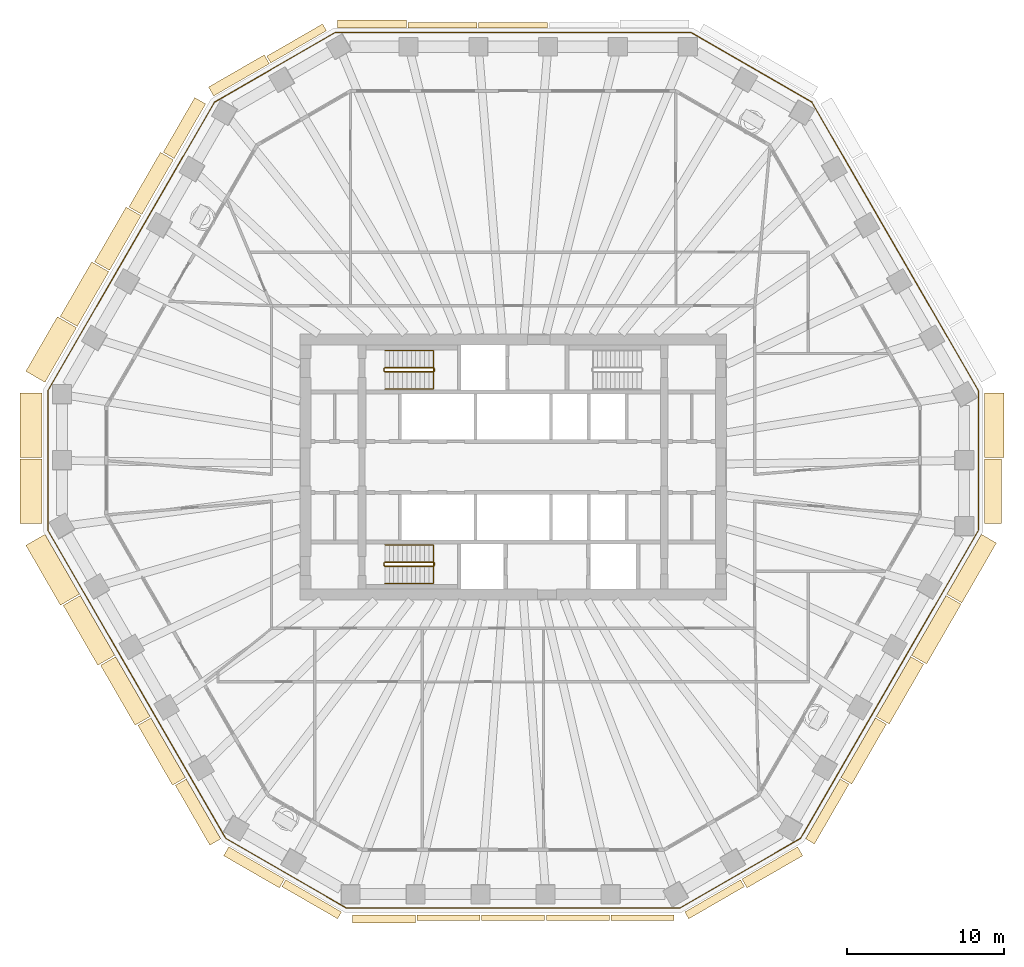
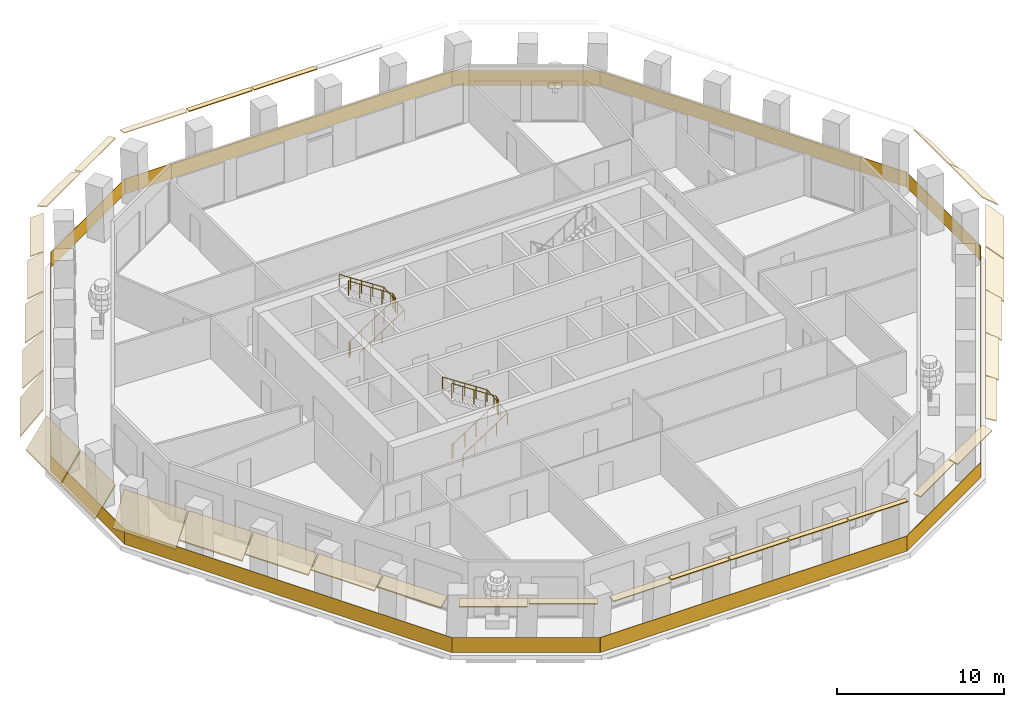
# One storey, part 9 of 12: 33 coverings, 5 railings.
"""IFC4 building model written with IfcOpenShell, lengths in metres."""

from ifc_helpers import new_model, si_unit, direction, frame, origin, origin_2d, place, context, subcontext, project, spatial, polyline, rectangle, circle, outline, extrude, material, layer, layer_set, type_object, element, save


model = new_model("IFC4")

# Units and contexts
model_context = context("Model", 3, precision=1e-05, world=origin(), true_north=direction((0.0, 1.0)))
body_context = subcontext(model_context, "Body", "Model", "MODEL_VIEW")
ifc_project = project(units=[si_unit("LENGTHUNIT", "METRE"), si_unit("AREAUNIT", "SQUARE_METRE"), si_unit("VOLUMEUNIT", "CUBIC_METRE"), si_unit("PLANEANGLEUNIT", "RADIAN"), si_unit("MASSUNIT", "GRAM", prefix="KILO")], contexts=[model_context])

# Site, building, storey
site_placement = place(None, origin())
site = spatial("IfcSite", under=ifc_project, at=site_placement, CompositionType="ELEMENT")
building_placement = place(site_placement, origin())
building = spatial("IfcBuilding", under=site, at=building_placement, Name="Frailejon Research Tower", CompositionType="ELEMENT")
storey_placement = place(building_placement, frame((0.0, 0.0, 158.39990234375)))
storey = spatial("IfcBuildingStorey", under=building, at=storey_placement, Name="L34", CompositionType="ELEMENT", Elevation=158.39990234375)

# Coverings
ifc_material_1 = material(Name="Precast concrete C50/60", Category="concrete")
ifc_layer_1 = layer(ifc_material_1, 0.06005859375)
ifc_layer_set_1 = layer_set([ifc_layer_1], Name="Brim blade depth 1100")
covering_type_1 = type_object("IfcCoveringType", Name="Brim blade depth 1100", PredefinedType="CLADDING", material=ifc_layer_set_1)
covering_1_placement = place(storey_placement, frame((29.93212890625, 0.503173828125, 4.25), z_axis=(0.0, -1.0, 0.0), x_axis=(1.0, 0.0, 0.0)))
element("IfcCovering", 1, at=covering_1_placement, inside=storey, type_object=covering_type_1, Name="Brim blade L34", PredefinedType="CLADDING", context=body_context, shape_type="SweptSolid", body=[
    extrude(outline(polyline([(0.0, -0.078369140625), (1.10009765625, -1.001220703125), (1.10009765625, -0.923095703125), (0.0, 0.0), (0.0, -0.078369140625)])), origin(), (0.0, 0.0, 1.0), 4.087646484375),
])
covering_2_placement = place(storey_placement, frame((-25.64208984375, 12.49267578125, 4.25), z_axis=(0.50000437419, 0.86602287833, 0.0), x_axis=(-0.86602287833, 0.50000437419, 0.0)))
element("IfcCovering", 2, at=covering_2_placement, inside=storey, type_object=covering_type_1, Name="Brim blade L34", PredefinedType="CLADDING", context=body_context, shape_type="SweptSolid", body=[
    extrude(outline(polyline([(0.0, -0.078369140625), (1.10009765625, -1.001220703125), (1.10009765625, -0.923095703125), (0.0, 0.0), (0.0, -0.078369140625)])), origin(), (0.0, 0.0, 1.0), 4.004150390625),
])
for number, where, z_axis, x_axis, name in (
    (3, (-23.065185546875, -15.849853515625, 4.25), (-0.50000023118, 0.866025270312, 0.0), (-0.866025270312, -0.50000023118, 0.0), "Brim blade L34"),
    (4, (27.502685546875, -8.1640625, 4.25), (-0.50000023118, -0.866025270312, 0.0), (0.866025270312, -0.50000023118, 0.0), "Brim blade L34"),
    (5, (29.746337890625, -4.27783203125, 4.25), (-0.50000023118, -0.866025270312, 0.0), (0.866025270312, -0.50000023118, 0.0), "Brim blade L34"),
):
    element("IfcCovering", number, at=place(storey_placement, frame(where, z_axis=z_axis, x_axis=x_axis)), inside=storey, type_object=covering_type_1, Name=name, PredefinedType="CLADDING", context=body_context, shape_type="SweptSolid", body=[
        extrude(outline(polyline([(0.0, -0.078369140625), (1.10009765625, -1.001220703125), (1.10009765625, -0.923095703125), (0.0, 0.0), (0.0, -0.078369140625)])), origin(), (0.0, 0.0, 1.0), 4.387451171875),
    ])
ifc_material_2 = material(Name="Precast concrete C50/60", Category="concrete")
ifc_layer_2 = layer(ifc_material_2, 0.06005859375)
ifc_layer_set_2 = layer_set([ifc_layer_2], Name="Brim blade depth 1250")
covering_type_2 = type_object("IfcCoveringType", Name="Brim blade depth 1250", PredefinedType="CLADDING", material=ifc_layer_set_2)
covering_3_placement = place(storey_placement, frame((29.93212890625, 4.690673828125, 4.25), z_axis=(0.0, -1.0, 0.0), x_axis=(1.0, 0.0, 0.0)))
element("IfcCovering", 6, at=covering_3_placement, inside=storey, type_object=covering_type_2, Name="Brim blade L34", PredefinedType="CLADDING", context=body_context, shape_type="SweptSolid", body=[
    extrude(outline(polyline([(0.0, -0.0888671875), (1.25, -1.452880859375), (1.25, -1.364013671875), (0.0, 0.0), (0.0, -0.0888671875)])), origin(), (0.0, 0.0, 1.0), 4.087646484375),
])
covering_4_placement = place(storey_placement, frame((-27.694091796875, 8.938232421875, 4.25), z_axis=(0.499993824204, 0.866028969353, 0.0), x_axis=(-0.866028969353, 0.499993824204, 0.0)))
element("IfcCovering", 7, at=covering_4_placement, inside=storey, type_object=covering_type_2, Name="Brim blade L34", PredefinedType="CLADDING", context=body_context, shape_type="SweptSolid", body=[
    extrude(outline(polyline([(0.0, -0.0888671875), (1.25, -1.452880859375), (1.25, -1.364013671875), (0.0, 0.0), (0.0, -0.0888671875)])), origin(), (0.0, 0.0, 1.0), 4.00439453125),
])
covering_5_placement = place(storey_placement, frame((-25.308837890625, -11.963623046875, 4.25), z_axis=(-0.50000023118, 0.866025270312, 0.0), x_axis=(-0.866025270312, -0.50000023118, 0.0)))
element("IfcCovering", 8, at=covering_5_placement, inside=storey, type_object=covering_type_2, Name="Brim blade L34", PredefinedType="CLADDING", context=body_context, shape_type="SweptSolid", body=[
    extrude(outline(polyline([(0.0, -0.0888671875), (1.25, -1.452880859375), (1.25, -1.364013671875), (0.0, 0.0), (0.0, -0.0888671875)])), origin(), (0.0, 0.0, 1.0), 4.387451171875),
])
ifc_material_3 = material(Name="Precast concrete C50/60", Category="concrete")
ifc_layer_3 = layer(ifc_material_3, 0.06005859375)
ifc_layer_set_3 = layer_set([ifc_layer_3], Name="Brim blade depth 1400")
covering_type_3 = type_object("IfcCoveringType", Name="Brim blade depth 1400", PredefinedType="CLADDING", material=ifc_layer_set_3)
covering_6_placement = place(storey_placement, frame((-29.746337890625, 5.384033203125, 4.25), z_axis=(0.50000437419, 0.86602287833, 0.0), x_axis=(-0.86602287833, 0.50000437419, 0.0)))
element("IfcCovering", 9, at=covering_6_placement, inside=storey, type_object=covering_type_3, Name="Brim blade L34", PredefinedType="CLADDING", context=body_context, shape_type="SweptSolid", body=[
    extrude(outline(polyline([(0.0, -0.1044921875), (1.39990234375, -2.10400390625), (1.39990234375, -1.99951171875), (0.0, 0.0), (0.0, -0.1044921875)])), origin(), (0.0, 0.0, 1.0), 4.004150390625),
])
for number, where, z_axis, x_axis, name in (
    (10, (-29.93212890625, 0.60302734375, 4.25), (0.0, 1.0, 0.0), (-1.0, 0.0, 0.0), "Brim blade L34"),
    (11, (-29.93212890625, -3.58447265625, 4.25), (0.0, 1.0, 0.0), (-1.0, 0.0, 0.0), "Brim blade L34"),
):
    element("IfcCovering", number, at=place(storey_placement, frame(where, z_axis=z_axis, x_axis=x_axis)), inside=storey, type_object=covering_type_3, Name=name, PredefinedType="CLADDING", context=body_context, shape_type="SweptSolid", body=[
        extrude(outline(polyline([(0.0, -0.1044921875), (1.39990234375, -2.10400390625), (1.39990234375, -1.99951171875), (0.0, 0.0), (0.0, -0.1044921875)])), origin(), (0.0, 0.0, 1.0), 4.087646484375),
    ])
covering_7_placement = place(storey_placement, frame((-27.552490234375, -8.077392578125, 4.25), z_axis=(-0.50000023118, 0.866025270312, 0.0), x_axis=(-0.866025270312, -0.50000023118, 0.0)))
element("IfcCovering", 12, at=covering_7_placement, inside=storey, type_object=covering_type_3, Name="Brim blade L34", PredefinedType="CLADDING", context=body_context, shape_type="SweptSolid", body=[
    extrude(outline(polyline([(0.0, -0.1044921875), (1.39990234375, -2.10400390625), (1.39990234375, -1.99951171875), (0.0, 0.0), (0.0, -0.1044921875)])), origin(), (0.0, 0.0, 1.0), 4.387451171875),
])
ifc_material_4 = material(Name="Precast concrete C50/60", Category="concrete")
ifc_layer_4 = layer(ifc_material_4, 0.06005859375)
ifc_layer_set_4 = layer_set([ifc_layer_4], Name="Brim blade depth 350")
covering_type_4 = type_object("IfcCoveringType", Name="Brim blade depth 350", PredefinedType="CLADDING", material=ifc_layer_set_4)
for number, where, z_axis, x_axis, name in (
    (13, (-2.193603515625, 27.89990234375, 4.25), (1.0, 0.0, 0.0), (0.0, 1.0, 0.0), "Brim blade L34"),
    (14, (-6.68115234375, 27.89990234375, 4.25), (1.0, 0.0, 0.0), (0.0, 1.0, 0.0), "Brim blade L34"),
):
    element("IfcCovering", number, at=place(storey_placement, frame(where, z_axis=z_axis, x_axis=x_axis)), inside=storey, type_object=covering_type_4, Name=name, PredefinedType="CLADDING", context=body_context, shape_type="SweptSolid", body=[
        extrude(outline(polyline([(0.0, -0.06005859375), (0.35009765625, -0.06005859375), (0.35009765625, 0.0), (0.0, 0.0), (0.0, -0.06005859375)])), origin(), (0.0, 0.0, 1.0), 4.387451171875),
    ])
for number, where, z_axis, x_axis, name in (
    (15, (-2.10205078125, -28.453125, 4.25), (-1.0, 0.0, 0.0), (0.0, -1.0, 0.0), "Brim blade L34"),
    (16, (2.002197265625, -28.453125, 4.25), (-1.0, 0.0, 0.0), (0.0, -1.0, 0.0), "Brim blade L34"),
    (17, (6.106201171875, -28.453125, 4.25), (-1.0, 0.0, 0.0), (0.0, -1.0, 0.0), "Brim blade L34"),
    (18, (10.21044921875, -28.453125, 4.25), (-1.0, 0.0, 0.0), (0.0, -1.0, 0.0), "Brim blade L34"),
):
    element("IfcCovering", number, at=place(storey_placement, frame(where, z_axis=z_axis, x_axis=x_axis)), inside=storey, type_object=covering_type_4, Name=name, PredefinedType="CLADDING", context=body_context, shape_type="SweptSolid", body=[
        extrude(outline(polyline([(0.0, -0.06005859375), (0.35009765625, -0.06005859375), (0.35009765625, 0.0), (0.0, 0.0), (0.0, -0.06005859375)])), origin(), (0.0, 0.0, 1.0), 4.004150390625),
    ])
ifc_material_5 = material(Name="Precast concrete C50/60", Category="concrete")
ifc_layer_5 = layer(ifc_material_5, 0.06005859375)
ifc_layer_set_5 = layer_set([ifc_layer_5], Name="Brim blade depth 500")
covering_type_5 = type_object("IfcCoveringType", Name="Brim blade depth 500", PredefinedType="CLADDING", material=ifc_layer_set_5)
covering_8_placement = place(storey_placement, frame((-11.16845703125, 27.89990234375, 4.25), z_axis=(1.0, 0.0, 0.0), x_axis=(0.0, 1.0, 0.0)))
element("IfcCovering", 19, at=covering_8_placement, inside=storey, type_object=covering_type_5, Name="Brim blade L34", PredefinedType="CLADDING", context=body_context, shape_type="SweptSolid", body=[
    extrude(outline(polyline([(0.0, -0.060546875), (0.5, -0.130859375), (0.5, -0.0703125), (0.0, 0.0), (0.0, -0.060546875)])), origin(), (0.0, 0.0, 1.0), 4.387451171875),
])
for number, where, z_axis, x_axis, name in (
    (20, (-15.40185546875, 25.67041015625, 4.25), (0.866027315287, 0.499996689166, 0.0), (-0.499996689166, 0.866027315287, 0.0), "Brim blade L34"),
    (21, (-10.90380859375, -28.267333984375, 4.25), (-0.866027315287, 0.499996689166, 0.0), (-0.499996689166, -0.866027315287, 0.0), "Brim blade L34"),
):
    element("IfcCovering", number, at=place(storey_placement, frame(where, z_axis=z_axis, x_axis=x_axis)), inside=storey, type_object=covering_type_5, Name=name, PredefinedType="CLADDING", context=body_context, shape_type="SweptSolid", body=[
        extrude(outline(polyline([(0.0, -0.060546875), (0.5, -0.130859375), (0.5, -0.0703125), (0.0, 0.0), (0.0, -0.060546875)])), origin(), (0.0, 0.0, 1.0), 4.087646484375),
    ])
covering_9_placement = place(storey_placement, frame((-6.206298828125, -28.453125, 4.25), z_axis=(-1.0, 0.0, 0.0), x_axis=(0.0, -1.0, 0.0)))
element("IfcCovering", 22, at=covering_9_placement, inside=storey, type_object=covering_type_5, Name="Brim blade L34", PredefinedType="CLADDING", context=body_context, shape_type="SweptSolid", body=[
    extrude(outline(polyline([(0.0, -0.060546875), (0.5, -0.130859375), (0.5, -0.0703125), (0.0, 0.0), (0.0, -0.060546875)])), origin(), (0.0, 0.0, 1.0), 4.004150390625),
])
covering_10_placement = place(storey_placement, frame((14.44384765625, -26.223388671875, 4.25), z_axis=(-0.866027315287, -0.499996689166, 0.0), x_axis=(0.499996689166, -0.866027315287, 0.0)))
element("IfcCovering", 23, at=covering_10_placement, inside=storey, type_object=covering_type_5, Name="Brim blade L34", PredefinedType="CLADDING", context=body_context, shape_type="SweptSolid", body=[
    extrude(outline(polyline([(0.0, -0.060546875), (0.5, -0.130859375), (0.5, -0.0703125), (0.0, 0.0), (0.0, -0.060546875)])), origin(), (0.0, 0.0, 1.0), 4.087646484375),
])
ifc_material_6 = material(Name="Precast concrete C50/60", Category="concrete")
ifc_layer_6 = layer(ifc_material_6, 0.06005859375)
ifc_layer_set_6 = layer_set([ifc_layer_6], Name="Brim blade depth 650")
covering_type_6 = type_object("IfcCoveringType", Name="Brim blade depth 650", PredefinedType="CLADDING", material=ifc_layer_set_6)
for number, where, z_axis, x_axis, name in (
    (24, (-19.0283203125, 23.57666015625, 4.25), (0.866021344981, 0.500007029989, 0.0), (-0.500007029989, 0.866021344981, 0.0), "Brim blade L34"),
    (25, (-14.530517578125, -26.173583984375, 4.25), (-0.866021344981, 0.500007029989, 0.0), (-0.500007029989, -0.866021344981, 0.0), "Brim blade L34"),
    (26, (18.0703125, -24.129638671875, 4.25), (-0.866021344981, -0.500007029989, 0.0), (0.500007029989, -0.866021344981, 0.0), "Brim blade L34"),
):
    element("IfcCovering", number, at=place(storey_placement, frame(where, z_axis=z_axis, x_axis=x_axis)), inside=storey, type_object=covering_type_6, Name=name, PredefinedType="CLADDING", context=body_context, shape_type="SweptSolid", body=[
        extrude(outline(polyline([(0.0, -0.0625), (0.64990234375, -0.248779296875), (0.64990234375, -0.186279296875), (0.0, 0.0), (0.0, -0.0625)])), origin(), (0.0, 0.0, 1.0), 4.08740234375),
    ])
covering_11_placement = place(storey_placement, frame((20.771484375, -19.822509765625, 4.25), z_axis=(-0.50000023118, -0.866025270312, 0.0), x_axis=(0.866025270312, -0.50000023118, 0.0)))
element("IfcCovering", 27, at=covering_11_placement, inside=storey, type_object=covering_type_6, Name="Brim blade L34", PredefinedType="CLADDING", context=body_context, shape_type="SweptSolid", body=[
    extrude(outline(polyline([(0.0, -0.0625), (0.64990234375, -0.248779296875), (0.64990234375, -0.186279296875), (0.0, 0.0), (0.0, -0.0625)])), origin(), (0.0, 0.0, 1.0), 4.387451171875),
])
ifc_material_7 = material(Name="Precast concrete C50/60", Category="concrete")
ifc_layer_7 = layer(ifc_material_7, 0.06005859375)
ifc_layer_set_7 = layer_set([ifc_layer_7], Name="Brim blade depth 800")
covering_type_7 = type_object("IfcCoveringType", Name="Brim blade depth 800", PredefinedType="CLADDING", material=ifc_layer_set_7)
covering_12_placement = place(storey_placement, frame((-21.537841796875, 19.601318359375, 4.25), z_axis=(0.50000437419, 0.86602287833, 0.0), x_axis=(-0.86602287833, 0.50000437419, 0.0)))
element("IfcCovering", 28, at=covering_12_placement, inside=storey, type_object=covering_type_7, Name="Brim blade L34", PredefinedType="CLADDING", context=body_context, shape_type="SweptSolid", body=[
    extrude(outline(polyline([(0.0, -0.065673828125), (0.800048828125, -0.421875), (0.800048828125, -0.356201171875), (0.0, 0.0), (0.0, -0.065673828125)])), origin(), (0.0, 0.0, 1.0), 4.004150390625),
])
for number, where, z_axis, x_axis, name in (
    (29, (-18.577880859375, -23.622314453125, 4.25), (-0.50000023118, 0.866025270312, 0.0), (-0.866025270312, -0.50000023118, 0.0), "Brim blade L34"),
    (30, (23.01513671875, -15.936279296875, 4.25), (-0.50000023118, -0.866025270312, 0.0), (0.866025270312, -0.50000023118, 0.0), "Brim blade L34"),
):
    element("IfcCovering", number, at=place(storey_placement, frame(where, z_axis=z_axis, x_axis=x_axis)), inside=storey, type_object=covering_type_7, Name=name, PredefinedType="CLADDING", context=body_context, shape_type="SweptSolid", body=[
        extrude(outline(polyline([(0.0, -0.065673828125), (0.800048828125, -0.421875), (0.800048828125, -0.356201171875), (0.0, 0.0), (0.0, -0.065673828125)])), origin(), (0.0, 0.0, 1.0), 4.387451171875),
    ])
ifc_material_8 = material(Name="Precast concrete C50/60", Category="concrete")
ifc_layer_8 = layer(ifc_material_8, 0.06005859375)
ifc_layer_set_8 = layer_set([ifc_layer_8], Name="Brim blade depth 950")
covering_type_8 = type_object("IfcCoveringType", Name="Brim blade depth 950", PredefinedType="CLADDING", material=ifc_layer_set_8)
covering_13_placement = place(storey_placement, frame((-23.590087890625, 16.047119140625, 4.25), z_axis=(0.499993824204, 0.866028969353, 0.0), x_axis=(-0.866028969353, 0.499993824204, 0.0)))
element("IfcCovering", 31, at=covering_13_placement, inside=storey, type_object=covering_type_8, Name="Brim blade L34", PredefinedType="CLADDING", context=body_context, shape_type="SweptSolid", body=[
    extrude(outline(polyline([(0.0, -0.07080078125), (0.949951171875, -0.664306640625), (0.949951171875, -0.593505859375), (0.0, 0.0), (0.0, -0.07080078125)])), origin(), (0.0, 0.0, 1.0), 4.00439453125),
])
for number, where, z_axis, x_axis, name in (
    (32, (-20.821533203125, -19.736083984375, 4.25), (-0.50000023118, 0.866025270312, 0.0), (-0.866025270312, -0.50000023118, 0.0), "Brim blade L34"),
    (33, (25.2587890625, -12.05029296875, 4.25), (-0.50000023118, -0.866025270312, 0.0), (0.866025270312, -0.50000023118, 0.0), "Brim blade L34"),
):
    element("IfcCovering", number, at=place(storey_placement, frame(where, z_axis=z_axis, x_axis=x_axis)), inside=storey, type_object=covering_type_8, Name=name, PredefinedType="CLADDING", context=body_context, shape_type="SweptSolid", body=[
        extrude(outline(polyline([(0.0, -0.07080078125), (0.949951171875, -0.664306640625), (0.949951171875, -0.593505859375), (0.0, 0.0), (0.0, -0.07080078125)])), origin(), (0.0, 0.0, 1.0), 4.387451171875),
    ])

# Railings
ifc_material_9 = material(Name="Laminated glass balustrade", Category="glass")
railing_type_1 = type_object("IfcRailingType", Name="Glass guard 1100", PredefinedType="GUARDRAIL", material=ifc_material_9)
railing_1_placement = place(storey_placement, frame((29.56103515625, -4.01611328125, 0.0)))
element("IfcRailing", 34, at=railing_1_placement, inside=storey, type_object=railing_type_1, Name="Loggia guard L34", PredefinedType="GUARDRAIL", context=body_context, shape_type="SweptSolid", body=[
    extrude(rectangle(XDim=8.862060546875, YDim=0.030029296875, at=origin_2d()), frame((0.0, 4.43115234375, 0.0), z_axis=(0.0, 0.0, 1.0), x_axis=(0.0, 1.0, 0.0)), (0.0, 0.0, 1.0), 1.10009765625),
    extrude(rectangle(XDim=21.16748046875, YDim=0.030029296875, at=origin_2d()), frame((-5.2919921875, 18.02783203125, 0.0), z_axis=(0.0, 0.0, 1.0), x_axis=(-0.500009322272, 0.866020021501, 0.0)), (0.0, 0.0, 1.0), 1.10009765625),
    extrude(rectangle(XDim=8.862060546875, YDim=0.030029296875, at=origin_2d()), frame((-14.42138671875, 29.4091796875, 0.0), z_axis=(0.0, 0.0, 1.0), x_axis=(-0.86602043012, 0.50000861454, 0.0)), (0.0, 0.0, 1.0), 1.10009765625),
    extrude(rectangle(XDim=22.6044921875, YDim=0.030029296875, at=origin_2d()), frame((-29.56103515625, 31.624755859375, 0.0), z_axis=(0.0, 0.0, 1.0), x_axis=(-1.0, 0.0, 0.0)), (0.0, 0.0, 1.0), 1.10009765625),
    extrude(rectangle(XDim=8.862060546875, YDim=0.030029296875, at=origin_2d()), frame((-44.70068359375, 29.4091796875, 0.0), z_axis=(0.0, 0.0, 1.0), x_axis=(-0.86602043012, -0.50000861454, 0.0)), (0.0, 0.0, 1.0), 1.10009765625),
    extrude(rectangle(XDim=21.16748046875, YDim=0.030029296875, at=origin_2d()), frame((-53.830078125, 18.02783203125, 0.0), z_axis=(0.0, 0.0, 1.0), x_axis=(-0.500009322272, -0.866020021501, 0.0)), (0.0, 0.0, 1.0), 1.10009765625),
    extrude(rectangle(XDim=8.862060546875, YDim=0.030029296875, at=origin_2d()), frame((-59.1220703125, 4.43115234375, 0.0), z_axis=(0.0, 0.0, 1.0), x_axis=(0.0, -1.0, 0.0)), (0.0, 0.0, 1.0), 1.10009765625),
    extrude(rectangle(XDim=22.604736328125, YDim=0.030029296875, at=origin_2d()), frame((-53.470703125, -9.7880859375, 0.0), z_axis=(0.0, 0.0, 1.0), x_axis=(0.500006042954, -0.866021914855, 0.0)), (0.0, 0.0, 1.0), 1.10009765625),
    extrude(rectangle(XDim=8.862060546875, YDim=0.030029296875, at=origin_2d()), frame((-43.982177734375, -21.791748046875, 0.0), z_axis=(0.0, 0.0, 1.0), x_axis=(0.86602043012, -0.50000861454, 0.0)), (0.0, 0.0, 1.0), 1.10009765625),
    extrude(rectangle(XDim=21.16748046875, YDim=0.030029296875, at=origin_2d()), frame((-29.56103515625, -24.00732421875, 0.0), z_axis=(0.0, 0.0, 1.0), x_axis=(1.0, 0.0, 0.0)), (0.0, 0.0, 1.0), 1.10009765625),
    extrude(rectangle(XDim=8.862060546875, YDim=0.030029296875, at=origin_2d()), frame((-15.139892578125, -21.791748046875, 0.0), z_axis=(0.0, 0.0, 1.0), x_axis=(0.86602043012, 0.50000861454, 0.0)), (0.0, 0.0, 1.0), 1.10009765625),
    extrude(rectangle(XDim=22.534423828125, YDim=0.030029296875, at=origin_2d()), frame((-5.6689453125, -9.818359375, 0.0), z_axis=(0.0, 0.0, 1.0), x_axis=(0.50000411342, 0.866023028888, 0.0)), (0.0, 0.0, 1.0), 1.10009765625),
])
ifc_material_10 = material(Name="Stainless steel", Category="steel")
railing_type_2 = type_object("IfcRailingType", Name="Stair guard 1100", PredefinedType="GUARDRAIL", material=ifc_material_10)
railing_2_placement = place(storey_placement, frame((-8.199951171875, 6.25, 0.0)))
element("IfcRailing", 35, at=railing_2_placement, inside=storey, type_object=railing_type_2, Name="L34 ST1 stair guard 1", PredefinedType="GUARDRAIL", context=body_context, shape_type="SweptSolid", body=[
    extrude(circle(Radius=0.02392578125, at=origin_2d()), frame((0.0, 0.0, 1.076171875), z_axis=(0.0, -1.0, 0.0), x_axis=(1.0, 0.0, 0.0)), (0.0, 0.0, 1.0), 0.14990234375),
    extrude(circle(Radius=0.02392578125, at=origin_2d()), frame((0.0, -0.14990234375, 1.076171875), z_axis=(0.254653276557, -0.254653276557, 0.932900539971), x_axis=(0.707106781187, 0.707106781187, 0.0)), (0.0, 0.0, 1.0), 0.196533203125),
    extrude(circle(Radius=0.02392578125, at=origin_2d()), frame((0.050048828125, -0.199951171875, 1.25927734375), z_axis=(0.836582707638, 0.0, 0.547840645882), x_axis=(0.0, 1.0, 0.0)), (0.0, 0.0, 1.0), 3.681396484375),
    extrude(circle(Radius=0.02392578125, at=origin_2d()), frame((3.1298828125, -0.199951171875, 3.2763671875), z_axis=(0.707106781187, 0.707106781187, 0.0), x_axis=(-0.707106781187, 0.707106781187, 0.0)), (0.0, 0.0, 1.0), 0.07080078125),
    extrude(circle(Radius=0.02392578125, at=origin_2d()), frame((3.179931640625, -0.14990234375, 3.2763671875), z_axis=(0.0, 1.0, 0.0), x_axis=(-1.0, 0.0, 0.0)), (0.0, 0.0, 1.0), 0.14990234375),
    extrude(circle(Radius=0.02392578125, at=origin_2d()), frame((3.179931640625, 0.0, 3.2763671875), z_axis=(-0.254653276557, 0.254653276557, 0.932900539971), x_axis=(-0.707106781187, -0.707106781187, 0.0)), (0.0, 0.0, 1.0), 0.196533203125),
    extrude(circle(Radius=0.02392578125, at=origin_2d()), frame((3.1298828125, 0.050048828125, 3.45947265625), z_axis=(-0.836613101238, 0.0, 0.547794230379), x_axis=(0.0, -1.0, 0.0)), (0.0, 0.0, 1.0), 3.681396484375),
    extrude(circle(Radius=0.02099609375, at=origin_2d()), origin(), (0.0, 0.0, 1.0), 1.052001953125),
    extrude(circle(Radius=0.02099609375, at=origin_2d()), frame((0.0, -0.14990234375, 0.0)), (0.0, 0.0, 1.0), 1.052001953125),
    extrude(circle(Radius=0.02099609375, at=origin_2d()), frame((0.050048828125, -0.199951171875, 0.183349609375)), (0.0, 0.0, 1.0), 1.052001953125),
    extrude(circle(Radius=0.02099609375, at=origin_2d()), frame((0.820068359375, -0.199951171875, 0.6875)), (0.0, 0.0, 1.0), 1.052001953125),
    extrude(circle(Radius=0.02099609375, at=origin_2d()), frame((1.58984375, -0.199951171875, 1.19189453125)), (0.0, 0.0, 1.0), 1.052001953125),
    extrude(circle(Radius=0.02099609375, at=origin_2d()), frame((2.35986328125, -0.199951171875, 1.696044921875)), (0.0, 0.0, 1.0), 1.052001953125),
    extrude(circle(Radius=0.02099609375, at=origin_2d()), frame((3.1298828125, -0.199951171875, 2.2001953125)), (0.0, 0.0, 1.0), 1.052001953125),
    extrude(circle(Radius=0.02099609375, at=origin_2d()), frame((3.179931640625, -0.14990234375, 2.2001953125)), (0.0, 0.0, 1.0), 1.052001953125),
    extrude(circle(Radius=0.02099609375, at=origin_2d()), frame((3.179931640625, 0.0, 2.2001953125)), (0.0, 0.0, 1.0), 1.052001953125),
    extrude(circle(Radius=0.02099609375, at=origin_2d()), frame((3.1298828125, 0.050048828125, 2.383544921875)), (0.0, 0.0, 1.0), 1.052001953125),
    extrude(circle(Radius=0.02099609375, at=origin_2d()), frame((2.35986328125, 0.050048828125, 2.8876953125)), (0.0, 0.0, 1.0), 1.052001953125),
    extrude(circle(Radius=0.02099609375, at=origin_2d()), frame((1.58984375, 0.050048828125, 3.391845703125)), (0.0, 0.0, 1.0), 1.052001953125),
    extrude(circle(Radius=0.02099609375, at=origin_2d()), frame((0.820068359375, 0.050048828125, 3.89599609375)), (0.0, 0.0, 1.0), 1.052001953125),
    extrude(circle(Radius=0.02099609375, at=origin_2d()), frame((0.050048828125, 0.050048828125, 4.400146484375)), (0.0, 0.0, 1.0), 1.052001953125),
])
railing_3_placement = place(storey_placement, frame((-8.199951171875, -6.10009765625, 0.0)))
element("IfcRailing", 36, at=railing_3_placement, inside=storey, type_object=railing_type_2, Name="L34 ST2 stair guard 1", PredefinedType="GUARDRAIL", context=body_context, shape_type="SweptSolid", body=[
    extrude(circle(Radius=0.02392578125, at=origin_2d()), frame((0.0, 0.0, 1.076171875), z_axis=(0.0, -1.0, 0.0), x_axis=(1.0, 0.0, 0.0)), (0.0, 0.0, 1.0), 0.14990234375),
    extrude(circle(Radius=0.02392578125, at=origin_2d()), frame((0.0, -0.14990234375, 1.076171875), z_axis=(0.254653276557, -0.254653276557, 0.932900539971), x_axis=(0.707106781187, 0.707106781187, 0.0)), (0.0, 0.0, 1.0), 0.196533203125),
    extrude(circle(Radius=0.02392578125, at=origin_2d()), frame((0.050048828125, -0.199951171875, 1.25927734375), z_axis=(0.836582707638, 0.0, 0.547840645882), x_axis=(0.0, 1.0, 0.0)), (0.0, 0.0, 1.0), 3.681396484375),
    extrude(circle(Radius=0.02392578125, at=origin_2d()), frame((3.1298828125, -0.199951171875, 3.2763671875), z_axis=(0.707106781187, 0.707106781187, 0.0), x_axis=(-0.707106781187, 0.707106781187, 0.0)), (0.0, 0.0, 1.0), 0.07080078125),
    extrude(circle(Radius=0.02392578125, at=origin_2d()), frame((3.179931640625, -0.14990234375, 3.2763671875), z_axis=(0.0, 1.0, 0.0), x_axis=(-1.0, 0.0, 0.0)), (0.0, 0.0, 1.0), 0.14990234375),
    extrude(circle(Radius=0.02392578125, at=origin_2d()), frame((3.179931640625, 0.0, 3.2763671875), z_axis=(-0.254653276557, 0.254653276557, 0.932900539971), x_axis=(-0.707106781187, -0.707106781187, 0.0)), (0.0, 0.0, 1.0), 0.196533203125),
    extrude(circle(Radius=0.02392578125, at=origin_2d()), frame((3.1298828125, 0.050048828125, 3.45947265625), z_axis=(-0.836613101238, 0.0, 0.547794230379), x_axis=(0.0, -1.0, 0.0)), (0.0, 0.0, 1.0), 3.681396484375),
    extrude(circle(Radius=0.02099609375, at=origin_2d()), origin(), (0.0, 0.0, 1.0), 1.052001953125),
    extrude(circle(Radius=0.02099609375, at=origin_2d()), frame((0.0, -0.14990234375, 0.0)), (0.0, 0.0, 1.0), 1.052001953125),
    extrude(circle(Radius=0.02099609375, at=origin_2d()), frame((0.050048828125, -0.199951171875, 0.183349609375)), (0.0, 0.0, 1.0), 1.052001953125),
    extrude(circle(Radius=0.02099609375, at=origin_2d()), frame((0.820068359375, -0.199951171875, 0.6875)), (0.0, 0.0, 1.0), 1.052001953125),
    extrude(circle(Radius=0.02099609375, at=origin_2d()), frame((1.58984375, -0.199951171875, 1.19189453125)), (0.0, 0.0, 1.0), 1.052001953125),
    extrude(circle(Radius=0.02099609375, at=origin_2d()), frame((2.35986328125, -0.199951171875, 1.696044921875)), (0.0, 0.0, 1.0), 1.052001953125),
    extrude(circle(Radius=0.02099609375, at=origin_2d()), frame((3.1298828125, -0.199951171875, 2.2001953125)), (0.0, 0.0, 1.0), 1.052001953125),
    extrude(circle(Radius=0.02099609375, at=origin_2d()), frame((3.179931640625, -0.14990234375, 2.2001953125)), (0.0, 0.0, 1.0), 1.052001953125),
    extrude(circle(Radius=0.02099609375, at=origin_2d()), frame((3.179931640625, 0.0, 2.2001953125)), (0.0, 0.0, 1.0), 1.052001953125),
    extrude(circle(Radius=0.02099609375, at=origin_2d()), frame((3.1298828125, 0.050048828125, 2.383544921875)), (0.0, 0.0, 1.0), 1.052001953125),
    extrude(circle(Radius=0.02099609375, at=origin_2d()), frame((2.35986328125, 0.050048828125, 2.8876953125)), (0.0, 0.0, 1.0), 1.052001953125),
    extrude(circle(Radius=0.02099609375, at=origin_2d()), frame((1.58984375, 0.050048828125, 3.391845703125)), (0.0, 0.0, 1.0), 1.052001953125),
    extrude(circle(Radius=0.02099609375, at=origin_2d()), frame((0.820068359375, 0.050048828125, 3.89599609375)), (0.0, 0.0, 1.0), 1.052001953125),
    extrude(circle(Radius=0.02099609375, at=origin_2d()), frame((0.050048828125, 0.050048828125, 4.400146484375)), (0.0, 0.0, 1.0), 1.052001953125),
])
ifc_material_11 = material(Name="Stainless steel", Category="steel")
railing_type_3 = type_object("IfcRailingType", Name="Stair handrail 900", PredefinedType="HANDRAIL", material=ifc_material_11)
railing_4_placement = place(storey_placement, frame((-8.14990234375, 4.949951171875, 0.183349609375)))
element("IfcRailing", 37, at=railing_4_placement, inside=storey, type_object=railing_type_3, Name="L34 ST1 stair handrail 1", PredefinedType="HANDRAIL", context=body_context, shape_type="SweptSolid", body=[
    extrude(circle(Radius=0.02392578125, at=origin_2d()), frame((0.0, 0.0, 0.8759765625), z_axis=(0.836582707638, 0.0, 0.547840645882), x_axis=(0.0, 1.0, 0.0)), (0.0, 0.0, 1.0), 3.681396484375),
    extrude(circle(Radius=0.02392578125, at=origin_2d()), frame((3.079833984375, 0.0, 2.892578125), z_axis=(0.0, 0.99721134034, 0.074629368868), x_axis=(-1.0, 0.0, 0.0)), (0.0, 0.0, 1.0), 2.456787109375),
    extrude(circle(Radius=0.02392578125, at=origin_2d()), frame((3.079833984375, 2.449951171875, 3.076171875), z_axis=(-0.836613101238, 0.0, 0.547794230379), x_axis=(0.0, -1.0, 0.0)), (0.0, 0.0, 1.0), 3.681396484375),
    extrude(circle(Radius=0.02099609375, at=origin_2d()), origin(), (0.0, 0.0, 1.0), 0.851806640625),
    extrude(circle(Radius=0.02099609375, at=origin_2d()), frame((0.77001953125, 0.0, 0.504150390625)), (0.0, 0.0, 1.0), 0.851806640625),
    extrude(circle(Radius=0.02099609375, at=origin_2d()), frame((1.5400390625, 0.0, 1.00830078125)), (0.0, 0.0, 1.0), 0.851806640625),
    extrude(circle(Radius=0.02099609375, at=origin_2d()), frame((2.309814453125, 0.0, 1.5126953125)), (0.0, 0.0, 1.0), 0.851806640625),
    extrude(circle(Radius=0.02099609375, at=origin_2d()), frame((3.079833984375, 0.0, 2.016845703125)), (0.0, 0.0, 1.0), 0.851806640625),
    extrude(circle(Radius=0.02099609375, at=origin_2d()), frame((3.079833984375, 0.816650390625, 2.077880859375)), (0.0, 0.0, 1.0), 0.851806640625),
    extrude(circle(Radius=0.02099609375, at=origin_2d()), frame((3.079833984375, 1.63330078125, 2.13916015625)), (0.0, 0.0, 1.0), 0.851806640625),
    extrude(circle(Radius=0.02099609375, at=origin_2d()), frame((3.079833984375, 2.449951171875, 2.2001953125)), (0.0, 0.0, 1.0), 0.851806640625),
    extrude(circle(Radius=0.02099609375, at=origin_2d()), frame((2.309814453125, 2.449951171875, 2.704345703125)), (0.0, 0.0, 1.0), 0.851806640625),
    extrude(circle(Radius=0.02099609375, at=origin_2d()), frame((1.5400390625, 2.449951171875, 3.20849609375)), (0.0, 0.0, 1.0), 0.851806640625),
    extrude(circle(Radius=0.02099609375, at=origin_2d()), frame((0.77001953125, 2.449951171875, 3.712646484375)), (0.0, 0.0, 1.0), 0.851806640625),
    extrude(circle(Radius=0.02099609375, at=origin_2d()), frame((0.0, 2.449951171875, 4.216796875)), (0.0, 0.0, 1.0), 0.851806640625),
])
railing_5_placement = place(storey_placement, frame((-8.14990234375, -7.39990234375, 0.183349609375)))
element("IfcRailing", 38, at=railing_5_placement, inside=storey, type_object=railing_type_3, Name="L34 ST2 stair handrail 1", PredefinedType="HANDRAIL", context=body_context, shape_type="SweptSolid", body=[
    extrude(circle(Radius=0.02392578125, at=origin_2d()), frame((0.0, 0.0, 0.8759765625), z_axis=(0.836582707638, 0.0, 0.547840645882), x_axis=(0.0, 1.0, 0.0)), (0.0, 0.0, 1.0), 3.681396484375),
    extrude(circle(Radius=0.02392578125, at=origin_2d()), frame((3.079833984375, 0.0, 2.892578125), z_axis=(0.0, 0.99721134034, 0.074629368868), x_axis=(-1.0, 0.0, 0.0)), (0.0, 0.0, 1.0), 2.456787109375),
    extrude(circle(Radius=0.02392578125, at=origin_2d()), frame((3.079833984375, 2.449951171875, 3.076171875), z_axis=(-0.836613101238, 0.0, 0.547794230379), x_axis=(0.0, -1.0, 0.0)), (0.0, 0.0, 1.0), 3.681396484375),
    extrude(circle(Radius=0.02099609375, at=origin_2d()), origin(), (0.0, 0.0, 1.0), 0.851806640625),
    extrude(circle(Radius=0.02099609375, at=origin_2d()), frame((0.77001953125, 0.0, 0.504150390625)), (0.0, 0.0, 1.0), 0.851806640625),
    extrude(circle(Radius=0.02099609375, at=origin_2d()), frame((1.5400390625, 0.0, 1.00830078125)), (0.0, 0.0, 1.0), 0.851806640625),
    extrude(circle(Radius=0.02099609375, at=origin_2d()), frame((2.309814453125, 0.0, 1.5126953125)), (0.0, 0.0, 1.0), 0.851806640625),
    extrude(circle(Radius=0.02099609375, at=origin_2d()), frame((3.079833984375, 0.0, 2.016845703125)), (0.0, 0.0, 1.0), 0.851806640625),
    extrude(circle(Radius=0.02099609375, at=origin_2d()), frame((3.079833984375, 0.816650390625, 2.077880859375)), (0.0, 0.0, 1.0), 0.851806640625),
    extrude(circle(Radius=0.02099609375, at=origin_2d()), frame((3.079833984375, 1.63330078125, 2.13916015625)), (0.0, 0.0, 1.0), 0.851806640625),
    extrude(circle(Radius=0.02099609375, at=origin_2d()), frame((3.079833984375, 2.449951171875, 2.2001953125)), (0.0, 0.0, 1.0), 0.851806640625),
    extrude(circle(Radius=0.02099609375, at=origin_2d()), frame((2.309814453125, 2.449951171875, 2.704345703125)), (0.0, 0.0, 1.0), 0.851806640625),
    extrude(circle(Radius=0.02099609375, at=origin_2d()), frame((1.5400390625, 2.449951171875, 3.20849609375)), (0.0, 0.0, 1.0), 0.851806640625),
    extrude(circle(Radius=0.02099609375, at=origin_2d()), frame((0.77001953125, 2.449951171875, 3.712646484375)), (0.0, 0.0, 1.0), 0.851806640625),
    extrude(circle(Radius=0.02099609375, at=origin_2d()), frame((0.0, 2.449951171875, 4.216796875)), (0.0, 0.0, 1.0), 0.851806640625),
])

save(model, "model.ifc")
